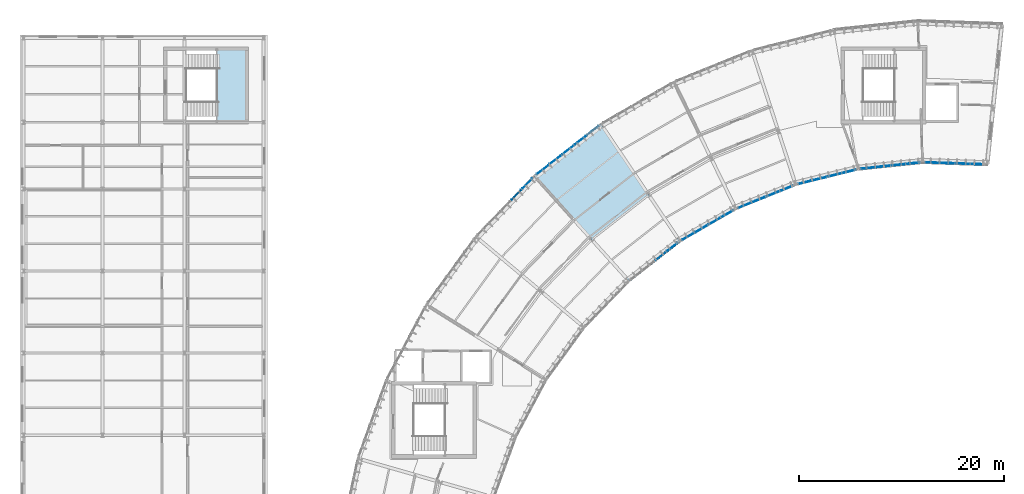
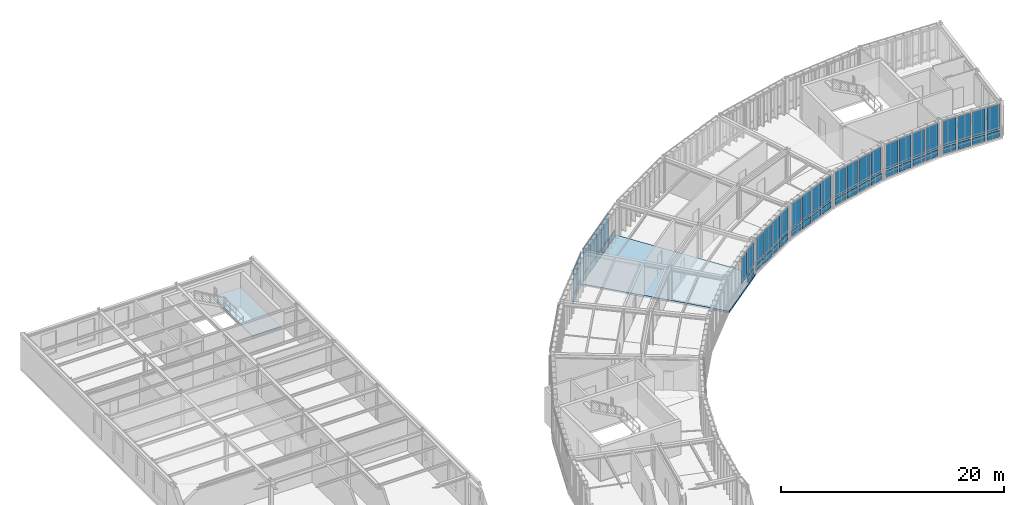
# One storey, part 21 of 41: 56 plates, 2 slabs, 9 elements without a shape of their own.
"""IFC4 building model written with IfcOpenShell, lengths in metres."""

from ifc_helpers import new_model, si_unit, direction, frame, origin, origin_2d, place, context, subcontext, project, spatial, polyline, rectangle, outline, extrude, material, layer, layer_set, type_object, element, aggregate, save


model = new_model("IFC4")

# Units and contexts
model_context = context("Model", 3, precision=1e-05, world=origin(), true_north=direction((0.0, 1.0)))
body_context = subcontext(model_context, "Body", "Model", "MODEL_VIEW")
ifc_project = project(units=[si_unit("LENGTHUNIT", "METRE"), si_unit("AREAUNIT", "SQUARE_METRE"), si_unit("VOLUMEUNIT", "CUBIC_METRE"), si_unit("PLANEANGLEUNIT", "RADIAN"), si_unit("MASSUNIT", "GRAM", prefix="KILO"), si_unit("THERMODYNAMICTEMPERATUREUNIT", "KELVIN"), si_unit("POWERUNIT", "WATT")], contexts=[model_context])

# Site, building, storey
site_placement = place(None, origin())
site = spatial("IfcSite", under=ifc_project, at=site_placement, CompositionType="ELEMENT")
building_placement = place(site_placement, origin())
building = spatial("IfcBuilding", under=site, at=building_placement, Name="Solvatero Civic Police Headquarters", CompositionType="ELEMENT")
storey_placement = place(building_placement, frame((0.0, 0.0, 17.699951171875)))
storey = spatial("IfcBuildingStorey", under=building, at=storey_placement, Name="L04", CompositionType="ELEMENT", Elevation=17.699951171875)

# Curtain wall, plates
ifc_material_1 = material(Name="Anodized Bronze Aluminium", Category="aluminium")
ifc_layer_1 = layer(ifc_material_1, 0.179931640625)
ifc_layer_set_1 = layer_set([ifc_layer_1], Name="Anodized Bronze Aluminium")
curtain_wall_type_1 = type_object("IfcCurtainWallType", Name="CW-ARC-IN", PredefinedType="USERDEFINED", material=ifc_layer_set_1)
curtain_wall_1_placement = place(storey_placement, origin())
curtain_wall_1 = element("IfcCurtainWall", 1, at=curtain_wall_1_placement, inside=storey, type_object=curtain_wall_type_1, Name="Curtain Wall CW-R2-L04-ARC-IN-B01", ObjectType="UNITISED", PredefinedType="USERDEFINED")
ifc_material_2 = material(Name="Triple Low-E Laminated Glass", Category="glass")
ifc_layer_2 = layer(ifc_material_2, 0.0380859375)
ifc_layer_set_2 = layer_set([ifc_layer_2], Name="Triple Low-E Laminated Glass")
plate_type_1 = type_object("IfcPlateType", Name="CWP-GLZ-38", PredefinedType="CURTAIN_PANEL", material=ifc_layer_set_2)
plate_1_placement = place(storey_placement, frame((96.302490234375, 70.95703125, 0.91015625), z_axis=(0.0, 0.0, 1.0), x_axis=(-0.999390827019, 0.034899496703, 0.0)))
plate_1 = element("IfcPlate", 2, at=plate_1_placement, type_object=plate_type_1, Name="CW-R2-L04-ARC-IN-B01 Vision Glazing 2", PredefinedType="CURTAIN_PANEL", context=body_context, shape_type="SweptSolid", body=[
    extrude(rectangle(XDim=1.294189453125, YDim=0.0380859375, at=origin_2d()), origin(), (0.0, 0.0, 1.0), 2.72998046875),
])
plate_2_placement = place(storey_placement, frame((93.35595703125, 71.06005859375, 0.91015625), z_axis=(0.0, 0.0, 1.0), x_axis=(-0.999390827019, 0.034899496703, 0.0)))
plate_2 = element("IfcPlate", 3, at=plate_2_placement, type_object=plate_type_1, Name="CW-R2-L04-ARC-IN-B01 Vision Glazing 4", PredefinedType="CURTAIN_PANEL", context=body_context, shape_type="SweptSolid", body=[
    extrude(rectangle(XDim=1.294189453125, YDim=0.0380859375, at=origin_2d()), origin(), (0.0, 0.0, 1.0), 2.72998046875),
])

curtain_wall_2_placement = place(storey_placement, origin())
curtain_wall_2 = element("IfcCurtainWall", 4, at=curtain_wall_2_placement, inside=storey, type_object=curtain_wall_type_1, Name="Curtain Wall CW-R2-L04-ARC-IN-B02", ObjectType="UNITISED", PredefinedType="USERDEFINED")
plate_3_placement = place(storey_placement, frame((90.029541015625, 70.8408203125, 0.91015625), z_axis=(0.0, 0.0, 1.0), x_axis=(-0.994521895368, -0.104528463268, 0.0)))
plate_3 = element("IfcPlate", 5, at=plate_3_placement, type_object=plate_type_1, Name="CW-R2-L04-ARC-IN-B02 Vision Glazing 2", PredefinedType="CURTAIN_PANEL", context=body_context, shape_type="SweptSolid", body=[
    extrude(rectangle(XDim=1.296630859375, YDim=0.0380859375, at=origin_2d()), origin(), (0.0, 0.0, 1.0), 2.72998046875),
])
plate_4_placement = place(storey_placement, frame((87.09228515625, 70.531982421875, 0.91015625), z_axis=(0.0, 0.0, 1.0), x_axis=(-0.994521895368, -0.104528463268, 0.0)))
plate_4 = element("IfcPlate", 6, at=plate_4_placement, type_object=plate_type_1, Name="CW-R2-L04-ARC-IN-B02 Vision Glazing 4", PredefinedType="CURTAIN_PANEL", context=body_context, shape_type="SweptSolid", body=[
    extrude(rectangle(XDim=1.296630859375, YDim=0.0380859375, at=origin_2d()), origin(), (0.0, 0.0, 1.0), 2.72998046875),
])

curtain_wall_3_placement = place(storey_placement, origin())
curtain_wall_3 = element("IfcCurtainWall", 7, at=curtain_wall_3_placement, inside=storey, type_object=curtain_wall_type_1, Name="Curtain Wall CW-R2-L04-ARC-IN-B03", ObjectType="UNITISED", PredefinedType="USERDEFINED")
plate_5_placement = place(storey_placement, frame((83.82763671875, 69.851806640625, 0.91015625), z_axis=(0.0, 0.0, 1.0), x_axis=(-0.970295726276, -0.2419218956, 0.0)))
plate_5 = element("IfcPlate", 8, at=plate_5_placement, type_object=plate_type_1, Name="CW-R2-L04-ARC-IN-B03 Vision Glazing 2", PredefinedType="CURTAIN_PANEL", context=body_context, shape_type="SweptSolid", body=[
    extrude(rectangle(XDim=1.296875, YDim=0.0380859375, at=origin_2d()), origin(), (0.0, 0.0, 1.0), 2.72998046875),
])
plate_6_placement = place(storey_placement, frame((80.9619140625, 69.13720703125, 0.91015625), z_axis=(0.0, 0.0, 1.0), x_axis=(-0.970295726276, -0.2419218956, 0.0)))
plate_6 = element("IfcPlate", 9, at=plate_6_placement, type_object=plate_type_1, Name="CW-R2-L04-ARC-IN-B03 Vision Glazing 4", PredefinedType="CURTAIN_PANEL", context=body_context, shape_type="SweptSolid", body=[
    extrude(rectangle(XDim=1.296875, YDim=0.0380859375, at=origin_2d()), origin(), (0.0, 0.0, 1.0), 2.72998046875),
])

curtain_wall_4_placement = place(storey_placement, origin())
curtain_wall_4 = element("IfcCurtainWall", 10, at=curtain_wall_4_placement, inside=storey, type_object=curtain_wall_type_1, Name="Curtain Wall CW-R2-L04-ARC-IN-B04", ObjectType="UNITISED", PredefinedType="USERDEFINED")
plate_7_placement = place(storey_placement, frame((77.826904296875, 68.010498046875, 0.91015625), z_axis=(0.0, 0.0, 1.0), x_axis=(-0.927183854567, -0.374606593416, 0.0)))
plate_7 = element("IfcPlate", 11, at=plate_7_placement, type_object=plate_type_1, Name="CW-R2-L04-ARC-IN-B04 Vision Glazing 2", PredefinedType="CURTAIN_PANEL", context=body_context, shape_type="SweptSolid", body=[
    extrude(rectangle(XDim=1.294189453125, YDim=0.0380859375, at=origin_2d()), origin(), (0.0, 0.0, 1.0), 2.72998046875),
])
plate_8_placement = place(storey_placement, frame((75.09326171875, 66.906005859375, 0.91015625), z_axis=(0.0, 0.0, 1.0), x_axis=(-0.927183854567, -0.374606593416, 0.0)))
plate_8 = element("IfcPlate", 12, at=plate_8_placement, type_object=plate_type_1, Name="CW-R2-L04-ARC-IN-B04 Vision Glazing 4", PredefinedType="CURTAIN_PANEL", context=body_context, shape_type="SweptSolid", body=[
    extrude(rectangle(XDim=1.294189453125, YDim=0.0380859375, at=origin_2d()), origin(), (0.0, 0.0, 1.0), 2.72998046875),
])

curtain_wall_5_placement = place(storey_placement, origin())
curtain_wall_5 = element("IfcCurtainWall", 13, at=curtain_wall_5_placement, inside=storey, type_object=curtain_wall_type_1, Name="Curtain Wall CW-R2-L04-ARC-IN-B05", ObjectType="UNITISED", PredefinedType="USERDEFINED")
plate_9_placement = place(storey_placement, frame((72.12890625, 65.345947265625, 0.91015625), z_axis=(0.0, 0.0, 1.0), x_axis=(-0.866025403784, -0.5, 0.0)))
plate_9 = element("IfcPlate", 14, at=plate_9_placement, type_object=plate_type_1, Name="CW-R2-L04-ARC-IN-B05 Vision Glazing 2", PredefinedType="CURTAIN_PANEL", context=body_context, shape_type="SweptSolid", body=[
    extrude(rectangle(XDim=1.294189453125, YDim=0.0380859375, at=origin_2d()), origin(), (0.0, 0.0, 1.0), 2.72998046875),
])
plate_10_placement = place(storey_placement, frame((69.575439453125, 63.871826171875, 0.91015625), z_axis=(0.0, 0.0, 1.0), x_axis=(-0.866025403784, -0.5, 0.0)))
plate_10 = element("IfcPlate", 15, at=plate_10_placement, type_object=plate_type_1, Name="CW-R2-L04-ARC-IN-B05 Vision Glazing 4", PredefinedType="CURTAIN_PANEL", context=body_context, shape_type="SweptSolid", body=[
    extrude(rectangle(XDim=1.294189453125, YDim=0.0380859375, at=origin_2d()), origin(), (0.0, 0.0, 1.0), 2.72998046875),
])

ifc_layer_3 = layer(ifc_material_1, 0.179931640625)
ifc_layer_set_3 = layer_set([ifc_layer_3], Name="Anodized Bronze Aluminium")
curtain_wall_type_2 = type_object("IfcCurtainWallType", Name="CW-ARC-OUT", PredefinedType="USERDEFINED", material=ifc_layer_set_3)
curtain_wall_6_placement = place(storey_placement, origin())
curtain_wall_6 = element("IfcCurtainWall", 16, at=curtain_wall_6_placement, inside=storey, type_object=curtain_wall_type_2, Name="Curtain Wall CW-R2-L04-ARC-OUT-B06", ObjectType="UNITISED", PredefinedType="USERDEFINED")
plate_11_placement = place(storey_placement, frame((57.842041015625, 72.2880859375, 0.91015625), z_axis=(0.0, 0.0, 1.0), x_axis=(-0.788010753607, -0.615661475326, 0.0)))
plate_11 = element("IfcPlate", 17, at=plate_11_placement, type_object=plate_type_1, Name="CW-R2-L04-ARC-OUT-B06 Vision Glazing 3", PredefinedType="CURTAIN_PANEL", context=body_context, shape_type="SweptSolid", body=[
    extrude(rectangle(XDim=1.37060546875, YDim=0.0380859375, at=origin_2d()), origin(), (0.0, 0.0, 1.0), 2.72998046875),
])
plate_12_placement = place(storey_placement, frame((55.3984375, 70.37890625, 0.91015625), z_axis=(0.0, 0.0, 1.0), x_axis=(-0.788010753607, -0.615661475326, 0.0)))
plate_12 = element("IfcPlate", 18, at=plate_12_placement, type_object=plate_type_1, Name="CW-R2-L04-ARC-OUT-B06 Vision Glazing 5", PredefinedType="CURTAIN_PANEL", context=body_context, shape_type="SweptSolid", body=[
    extrude(rectangle(XDim=1.37060546875, YDim=0.0380859375, at=origin_2d()), origin(), (0.0, 0.0, 1.0), 2.72998046875),
])

# Curtain wall, plate
curtain_wall_7_placement = place(storey_placement, origin())
curtain_wall_7 = element("IfcCurtainWall", 19, at=curtain_wall_7_placement, inside=storey, type_object=curtain_wall_type_1, Name="Curtain Wall CW-R2-L04-ARC-IN-B06", ObjectType="UNITISED", PredefinedType="USERDEFINED")
plate_13_placement = place(storey_placement, frame((66.873779296875, 61.92529296875, 0.91015625), z_axis=(0.0, 0.0, 1.0), x_axis=(-0.788010753607, -0.615661475326, 0.0)))
plate_13 = element("IfcPlate", 20, at=plate_13_placement, type_object=plate_type_1, Name="CW-R2-L04-ARC-IN-B06 Vision Glazing 2", PredefinedType="CURTAIN_PANEL", context=body_context, shape_type="SweptSolid", body=[
    extrude(rectangle(XDim=1.294189453125, YDim=0.0380859375, at=origin_2d()), origin(), (0.0, 0.0, 1.0), 2.72998046875),
])

curtain_wall_8_placement = place(storey_placement, origin())
curtain_wall_8 = element("IfcCurtainWall", 21, at=curtain_wall_8_placement, inside=storey, type_object=curtain_wall_type_2, Name="Curtain Wall CW-R2-L04-ARC-OUT-B07", ObjectType="UNITISED", PredefinedType="USERDEFINED")
plate_14_placement = place(storey_placement, frame((53.899169921875, 69.02880859375, 0.91015625), z_axis=(0.0, 0.0, 1.0), x_axis=(-0.694645815505, -0.719351924305, 0.0)))
plate_14 = element("IfcPlate", 22, at=plate_14_placement, type_object=plate_type_1, Name="CW-R2-L04-ARC-OUT-B07 Vision Glazing 1", PredefinedType="CURTAIN_PANEL", context=body_context, shape_type="SweptSolid", body=[
    extrude(rectangle(XDim=1.37060546875, YDim=0.0380859375, at=origin_2d()), origin(), (0.0, 0.0, 1.0), 2.72998046875),
])

# Plate
ifc_material_3 = material(Name="Acoustic Ballistic Laminated Glass", Category="glass")
ifc_layer_4 = layer(ifc_material_3, 0.0439453125)
ifc_layer_set_4 = layer_set([ifc_layer_4], Name="Acoustic Ballistic Laminated Glass")
plate_type_2 = type_object("IfcPlateType", Name="CWP-GLZ-44", PredefinedType="CURTAIN_PANEL", material=ifc_layer_set_4)
plate_15_placement = place(storey_placement, frame((97.77587890625, 70.905517578125, 0.91015625), z_axis=(0.0, 0.0, 1.0), x_axis=(-0.999390827019, 0.034899496703, 0.0)))
plate_15 = element("IfcPlate", 23, at=plate_15_placement, type_object=plate_type_2, Name="CW-R2-L04-ARC-IN-B01 Vision Glazing 1", PredefinedType="CURTAIN_PANEL", context=body_context, shape_type="SweptSolid", body=[
    extrude(rectangle(XDim=1.294189453125, YDim=0.0439453125, at=origin_2d()), origin(), (0.0, 0.0, 1.0), 2.72998046875),
])

plate_16_placement = place(storey_placement, frame((94.8291015625, 71.008544921875, 0.91015625), z_axis=(0.0, 0.0, 1.0), x_axis=(-0.999390827019, 0.034899496703, 0.0)))
plate_16 = element("IfcPlate", 24, at=plate_16_placement, type_object=plate_type_2, Name="CW-R2-L04-ARC-IN-B01 Vision Glazing 3", PredefinedType="CURTAIN_PANEL", context=body_context, shape_type="SweptSolid", body=[
    extrude(rectangle(XDim=1.294189453125, YDim=0.0439453125, at=origin_2d()), origin(), (0.0, 0.0, 1.0), 2.72998046875),
])

plate_17_placement = place(storey_placement, frame((91.498291015625, 70.9951171875, 0.91015625), z_axis=(0.0, 0.0, 1.0), x_axis=(-0.994521895368, -0.104528463268, 0.0)))
plate_17 = element("IfcPlate", 25, at=plate_17_placement, type_object=plate_type_2, Name="CW-R2-L04-ARC-IN-B02 Vision Glazing 1", PredefinedType="CURTAIN_PANEL", context=body_context, shape_type="SweptSolid", body=[
    extrude(rectangle(XDim=1.296630859375, YDim=0.0439453125, at=origin_2d()), origin(), (0.0, 0.0, 1.0), 2.72998046875),
])

plate_18_placement = place(storey_placement, frame((88.560791015625, 70.686279296875, 0.91015625), z_axis=(0.0, 0.0, 1.0), x_axis=(-0.994521895368, -0.104528463268, 0.0)))
plate_18 = element("IfcPlate", 26, at=plate_18_placement, type_object=plate_type_2, Name="CW-R2-L04-ARC-IN-B02 Vision Glazing 3", PredefinedType="CURTAIN_PANEL", context=body_context, shape_type="SweptSolid", body=[
    extrude(rectangle(XDim=1.296630859375, YDim=0.0439453125, at=origin_2d()), origin(), (0.0, 0.0, 1.0), 2.72998046875),
])

plate_19_placement = place(storey_placement, frame((85.260498046875, 70.208984375, 0.91015625), z_axis=(0.0, 0.0, 1.0), x_axis=(-0.970295726276, -0.2419218956, 0.0)))
plate_19 = element("IfcPlate", 27, at=plate_19_placement, type_object=plate_type_2, Name="CW-R2-L04-ARC-IN-B03 Vision Glazing 1", PredefinedType="CURTAIN_PANEL", context=body_context, shape_type="SweptSolid", body=[
    extrude(rectangle(XDim=1.296875, YDim=0.0439453125, at=origin_2d()), origin(), (0.0, 0.0, 1.0), 2.72998046875),
])

plate_20_placement = place(storey_placement, frame((82.394775390625, 69.494384765625, 0.91015625), z_axis=(0.0, 0.0, 1.0), x_axis=(-0.970295726276, -0.2419218956, 0.0)))
plate_20 = element("IfcPlate", 28, at=plate_20_placement, type_object=plate_type_2, Name="CW-R2-L04-ARC-IN-B03 Vision Glazing 3", PredefinedType="CURTAIN_PANEL", context=body_context, shape_type="SweptSolid", body=[
    extrude(rectangle(XDim=1.296875, YDim=0.0439453125, at=origin_2d()), origin(), (0.0, 0.0, 1.0), 2.72998046875),
])

plate_21_placement = place(storey_placement, frame((79.19384765625, 68.56298828125, 0.91015625), z_axis=(0.0, 0.0, 1.0), x_axis=(-0.927183854567, -0.374606593416, 0.0)))
plate_21 = element("IfcPlate", 29, at=plate_21_placement, type_object=plate_type_2, Name="CW-R2-L04-ARC-IN-B04 Vision Glazing 1", PredefinedType="CURTAIN_PANEL", context=body_context, shape_type="SweptSolid", body=[
    extrude(rectangle(XDim=1.294189453125, YDim=0.0439453125, at=origin_2d()), origin(), (0.0, 0.0, 1.0), 2.72998046875),
])

plate_22_placement = place(storey_placement, frame((76.460205078125, 67.45849609375, 0.91015625), z_axis=(0.0, 0.0, 1.0), x_axis=(-0.927183854567, -0.374606593416, 0.0)))
plate_22 = element("IfcPlate", 30, at=plate_22_placement, type_object=plate_type_2, Name="CW-R2-L04-ARC-IN-B04 Vision Glazing 3", PredefinedType="CURTAIN_PANEL", context=body_context, shape_type="SweptSolid", body=[
    extrude(rectangle(XDim=1.294189453125, YDim=0.0439453125, at=origin_2d()), origin(), (0.0, 0.0, 1.0), 2.72998046875),
])

plate_23_placement = place(storey_placement, frame((73.40576171875, 66.0830078125, 0.91015625), z_axis=(0.0, 0.0, 1.0), x_axis=(-0.866025403784, -0.5, 0.0)))
plate_23 = element("IfcPlate", 31, at=plate_23_placement, type_object=plate_type_2, Name="CW-R2-L04-ARC-IN-B05 Vision Glazing 1", PredefinedType="CURTAIN_PANEL", context=body_context, shape_type="SweptSolid", body=[
    extrude(rectangle(XDim=1.294189453125, YDim=0.0439453125, at=origin_2d()), origin(), (0.0, 0.0, 1.0), 2.72998046875),
])

plate_24_placement = place(storey_placement, frame((70.852294921875, 64.60888671875, 0.91015625), z_axis=(0.0, 0.0, 1.0), x_axis=(-0.866025403784, -0.5, 0.0)))
plate_24 = element("IfcPlate", 32, at=plate_24_placement, type_object=plate_type_2, Name="CW-R2-L04-ARC-IN-B05 Vision Glazing 3", PredefinedType="CURTAIN_PANEL", context=body_context, shape_type="SweptSolid", body=[
    extrude(rectangle(XDim=1.294189453125, YDim=0.0439453125, at=origin_2d()), origin(), (0.0, 0.0, 1.0), 2.72998046875),
])

plate_25_placement = place(storey_placement, frame((59.06396484375, 73.24267578125, 0.91015625), z_axis=(0.0, 0.0, 1.0), x_axis=(-0.788010753607, -0.615661475326, 0.0)))
plate_25 = element("IfcPlate", 33, at=plate_25_placement, type_object=plate_type_2, Name="CW-R2-L04-ARC-OUT-B06 Vision Glazing 2", PredefinedType="CURTAIN_PANEL", context=body_context, shape_type="SweptSolid", body=[
    extrude(rectangle(XDim=1.37060546875, YDim=0.0439453125, at=origin_2d()), origin(), (0.0, 0.0, 1.0), 2.72998046875),
])

plate_26_placement = place(storey_placement, frame((56.620361328125, 71.33349609375, 0.91015625), z_axis=(0.0, 0.0, 1.0), x_axis=(-0.788010753607, -0.615661475326, 0.0)))
plate_26 = element("IfcPlate", 34, at=plate_26_placement, type_object=plate_type_2, Name="CW-R2-L04-ARC-OUT-B06 Vision Glazing 4", PredefinedType="CURTAIN_PANEL", context=body_context, shape_type="SweptSolid", body=[
    extrude(rectangle(XDim=1.37060546875, YDim=0.0439453125, at=origin_2d()), origin(), (0.0, 0.0, 1.0), 2.72998046875),
])

plate_27_placement = place(storey_placement, frame((68.035400390625, 62.8330078125, 0.91015625), z_axis=(0.0, 0.0, 1.0), x_axis=(-0.788010753607, -0.615661475326, 0.0)))
plate_27 = element("IfcPlate", 35, at=plate_27_placement, type_object=plate_type_2, Name="CW-R2-L04-ARC-IN-B06 Vision Glazing 1", PredefinedType="CURTAIN_PANEL", context=body_context, shape_type="SweptSolid", body=[
    extrude(rectangle(XDim=1.294189453125, YDim=0.0439453125, at=origin_2d()), origin(), (0.0, 0.0, 1.0), 2.72998046875),
])

plate_28_placement = place(storey_placement, frame((52.822021484375, 67.91357421875, 0.91015625), z_axis=(0.0, 0.0, 1.0), x_axis=(-0.694645815505, -0.719351924305, 0.0)))
plate_28 = element("IfcPlate", 36, at=plate_28_placement, type_object=plate_type_2, Name="CW-R2-L04-ARC-OUT-B07 Vision Glazing 2", PredefinedType="CURTAIN_PANEL", context=body_context, shape_type="SweptSolid", body=[
    extrude(rectangle(XDim=1.37060546875, YDim=0.0439453125, at=origin_2d()), origin(), (0.0, 0.0, 1.0), 2.72998046875),
])

ifc_material_4 = material(Name="Insulated Bronze Aluminium Spandrel", Category="aluminium")
ifc_layer_5 = layer(ifc_material_4, 0.06005859375)
ifc_layer_set_5 = layer_set([ifc_layer_5], Name="Insulated Bronze Aluminium Spandrel")
plate_type_3 = type_object("IfcPlateType", Name="CWP-SPN-60", PredefinedType="CURTAIN_PANEL", material=ifc_layer_set_5)
plate_29_placement = place(storey_placement, frame((96.302490234375, 70.95703125, 0.06005859375), z_axis=(0.0, 0.0, 1.0), x_axis=(-0.999390827019, 0.034899496703, 0.0)))
plate_29 = element("IfcPlate", 37, at=plate_29_placement, type_object=plate_type_3, Name="CW-R2-L04-ARC-IN-B01 Spandrel Panel 2", PredefinedType="CURTAIN_PANEL", context=body_context, shape_type="SweptSolid", body=[
    extrude(rectangle(XDim=1.294189453125, YDim=0.06005859375, at=origin_2d()), origin(), (0.0, 0.0, 1.0), 0.72998046875),
])

plate_30_placement = place(storey_placement, frame((93.35595703125, 71.06005859375, 0.06005859375), z_axis=(0.0, 0.0, 1.0), x_axis=(-0.999390827019, 0.034899496703, 0.0)))
plate_30 = element("IfcPlate", 38, at=plate_30_placement, type_object=plate_type_3, Name="CW-R2-L04-ARC-IN-B01 Spandrel Panel 4", PredefinedType="CURTAIN_PANEL", context=body_context, shape_type="SweptSolid", body=[
    extrude(rectangle(XDim=1.294189453125, YDim=0.06005859375, at=origin_2d()), origin(), (0.0, 0.0, 1.0), 0.72998046875),
])

plate_31_placement = place(storey_placement, frame((90.029541015625, 70.8408203125, 0.06005859375), z_axis=(0.0, 0.0, 1.0), x_axis=(-0.994521895368, -0.104528463268, 0.0)))
plate_31 = element("IfcPlate", 39, at=plate_31_placement, type_object=plate_type_3, Name="CW-R2-L04-ARC-IN-B02 Spandrel Panel 2", PredefinedType="CURTAIN_PANEL", context=body_context, shape_type="SweptSolid", body=[
    extrude(rectangle(XDim=1.296630859375, YDim=0.06005859375, at=origin_2d()), origin(), (0.0, 0.0, 1.0), 0.72998046875),
])

plate_32_placement = place(storey_placement, frame((87.09228515625, 70.531982421875, 0.06005859375), z_axis=(0.0, 0.0, 1.0), x_axis=(-0.994521895368, -0.104528463268, 0.0)))
plate_32 = element("IfcPlate", 40, at=plate_32_placement, type_object=plate_type_3, Name="CW-R2-L04-ARC-IN-B02 Spandrel Panel 4", PredefinedType="CURTAIN_PANEL", context=body_context, shape_type="SweptSolid", body=[
    extrude(rectangle(XDim=1.296630859375, YDim=0.06005859375, at=origin_2d()), origin(), (0.0, 0.0, 1.0), 0.72998046875),
])

plate_33_placement = place(storey_placement, frame((83.82763671875, 69.851806640625, 0.06005859375), z_axis=(0.0, 0.0, 1.0), x_axis=(-0.970295726276, -0.2419218956, 0.0)))
plate_33 = element("IfcPlate", 41, at=plate_33_placement, type_object=plate_type_3, Name="CW-R2-L04-ARC-IN-B03 Spandrel Panel 2", PredefinedType="CURTAIN_PANEL", context=body_context, shape_type="SweptSolid", body=[
    extrude(rectangle(XDim=1.296875, YDim=0.06005859375, at=origin_2d()), origin(), (0.0, 0.0, 1.0), 0.72998046875),
])

plate_34_placement = place(storey_placement, frame((80.9619140625, 69.13720703125, 0.06005859375), z_axis=(0.0, 0.0, 1.0), x_axis=(-0.970295726276, -0.2419218956, 0.0)))
plate_34 = element("IfcPlate", 42, at=plate_34_placement, type_object=plate_type_3, Name="CW-R2-L04-ARC-IN-B03 Spandrel Panel 4", PredefinedType="CURTAIN_PANEL", context=body_context, shape_type="SweptSolid", body=[
    extrude(rectangle(XDim=1.296875, YDim=0.06005859375, at=origin_2d()), origin(), (0.0, 0.0, 1.0), 0.72998046875),
])

plate_35_placement = place(storey_placement, frame((77.826904296875, 68.010498046875, 0.06005859375), z_axis=(0.0, 0.0, 1.0), x_axis=(-0.927183854567, -0.374606593416, 0.0)))
plate_35 = element("IfcPlate", 43, at=plate_35_placement, type_object=plate_type_3, Name="CW-R2-L04-ARC-IN-B04 Spandrel Panel 2", PredefinedType="CURTAIN_PANEL", context=body_context, shape_type="SweptSolid", body=[
    extrude(rectangle(XDim=1.294189453125, YDim=0.06005859375, at=origin_2d()), origin(), (0.0, 0.0, 1.0), 0.72998046875),
])

plate_36_placement = place(storey_placement, frame((75.09326171875, 66.906005859375, 0.06005859375), z_axis=(0.0, 0.0, 1.0), x_axis=(-0.927183854567, -0.374606593416, 0.0)))
plate_36 = element("IfcPlate", 44, at=plate_36_placement, type_object=plate_type_3, Name="CW-R2-L04-ARC-IN-B04 Spandrel Panel 4", PredefinedType="CURTAIN_PANEL", context=body_context, shape_type="SweptSolid", body=[
    extrude(rectangle(XDim=1.294189453125, YDim=0.06005859375, at=origin_2d()), origin(), (0.0, 0.0, 1.0), 0.72998046875),
])

plate_37_placement = place(storey_placement, frame((72.12890625, 65.345947265625, 0.06005859375), z_axis=(0.0, 0.0, 1.0), x_axis=(-0.866025403784, -0.5, 0.0)))
plate_37 = element("IfcPlate", 45, at=plate_37_placement, type_object=plate_type_3, Name="CW-R2-L04-ARC-IN-B05 Spandrel Panel 2", PredefinedType="CURTAIN_PANEL", context=body_context, shape_type="SweptSolid", body=[
    extrude(rectangle(XDim=1.294189453125, YDim=0.06005859375, at=origin_2d()), origin(), (0.0, 0.0, 1.0), 0.72998046875),
])

plate_38_placement = place(storey_placement, frame((69.575439453125, 63.871826171875, 0.06005859375), z_axis=(0.0, 0.0, 1.0), x_axis=(-0.866025403784, -0.5, 0.0)))
plate_38 = element("IfcPlate", 46, at=plate_38_placement, type_object=plate_type_3, Name="CW-R2-L04-ARC-IN-B05 Spandrel Panel 4", PredefinedType="CURTAIN_PANEL", context=body_context, shape_type="SweptSolid", body=[
    extrude(rectangle(XDim=1.294189453125, YDim=0.06005859375, at=origin_2d()), origin(), (0.0, 0.0, 1.0), 0.72998046875),
])

plate_39_placement = place(storey_placement, frame((60.28564453125, 74.197265625, 0.06005859375), z_axis=(0.0, 0.0, 1.0), x_axis=(-0.788010753607, -0.615661475326, 0.0)))
plate_39 = element("IfcPlate", 47, at=plate_39_placement, type_object=plate_type_3, Name="CW-R2-L04-ARC-OUT-B06 Spandrel Panel 1", PredefinedType="CURTAIN_PANEL", context=body_context, shape_type="SweptSolid", body=[
    extrude(rectangle(XDim=1.37060546875, YDim=0.06005859375, at=origin_2d()), origin(), (0.0, 0.0, 1.0), 0.72998046875),
])

plate_40_placement = place(storey_placement, frame((57.842041015625, 72.2880859375, 0.06005859375), z_axis=(0.0, 0.0, 1.0), x_axis=(-0.788010753607, -0.615661475326, 0.0)))
plate_40 = element("IfcPlate", 48, at=plate_40_placement, type_object=plate_type_3, Name="CW-R2-L04-ARC-OUT-B06 Spandrel Panel 3", PredefinedType="CURTAIN_PANEL", context=body_context, shape_type="SweptSolid", body=[
    extrude(rectangle(XDim=1.37060546875, YDim=0.06005859375, at=origin_2d()), origin(), (0.0, 0.0, 1.0), 0.72998046875),
])

plate_41_placement = place(storey_placement, frame((55.3984375, 70.37890625, 0.06005859375), z_axis=(0.0, 0.0, 1.0), x_axis=(-0.788010753607, -0.615661475326, 0.0)))
plate_41 = element("IfcPlate", 49, at=plate_41_placement, type_object=plate_type_3, Name="CW-R2-L04-ARC-OUT-B06 Spandrel Panel 5", PredefinedType="CURTAIN_PANEL", context=body_context, shape_type="SweptSolid", body=[
    extrude(rectangle(XDim=1.37060546875, YDim=0.06005859375, at=origin_2d()), origin(), (0.0, 0.0, 1.0), 0.72998046875),
])

plate_42_placement = place(storey_placement, frame((53.899169921875, 69.02880859375, 0.06005859375), z_axis=(0.0, 0.0, 1.0), x_axis=(-0.694645815505, -0.719351924305, 0.0)))
plate_42 = element("IfcPlate", 50, at=plate_42_placement, type_object=plate_type_3, Name="CW-R2-L04-ARC-OUT-B07 Spandrel Panel 1", PredefinedType="CURTAIN_PANEL", context=body_context, shape_type="SweptSolid", body=[
    extrude(rectangle(XDim=1.37060546875, YDim=0.06005859375, at=origin_2d()), origin(), (0.0, 0.0, 1.0), 0.72998046875),
])

ifc_material_5 = material(Name="Limestone Veneer Spandrel Panel", Category="masonry")
ifc_layer_6 = layer(ifc_material_5, 0.074951171875)
ifc_layer_set_6 = layer_set([ifc_layer_6], Name="Limestone Veneer Spandrel Panel")
plate_type_4 = type_object("IfcPlateType", Name="CWP-SPN-75", PredefinedType="CURTAIN_PANEL", material=ifc_layer_set_6)
plate_43_placement = place(storey_placement, frame((97.77587890625, 70.905517578125, 0.06005859375), z_axis=(0.0, 0.0, 1.0), x_axis=(-0.999390827019, 0.034899496703, 0.0)))
plate_43 = element("IfcPlate", 51, at=plate_43_placement, type_object=plate_type_4, Name="CW-R2-L04-ARC-IN-B01 Spandrel Panel 1", PredefinedType="CURTAIN_PANEL", context=body_context, shape_type="SweptSolid", body=[
    extrude(rectangle(XDim=1.294189453125, YDim=0.074951171875, at=origin_2d()), origin(), (0.0, 0.0, 1.0), 0.72998046875),
])

plate_44_placement = place(storey_placement, frame((94.8291015625, 71.008544921875, 0.06005859375), z_axis=(0.0, 0.0, 1.0), x_axis=(-0.999390827019, 0.034899496703, 0.0)))
plate_44 = element("IfcPlate", 52, at=plate_44_placement, type_object=plate_type_4, Name="CW-R2-L04-ARC-IN-B01 Spandrel Panel 3", PredefinedType="CURTAIN_PANEL", context=body_context, shape_type="SweptSolid", body=[
    extrude(rectangle(XDim=1.294189453125, YDim=0.074951171875, at=origin_2d()), origin(), (0.0, 0.0, 1.0), 0.72998046875),
])

aggregate(curtain_wall_1, [plate_43, plate_15, plate_29, plate_1, plate_44, plate_16, plate_30, plate_2])

plate_45_placement = place(storey_placement, frame((91.498291015625, 70.9951171875, 0.06005859375), z_axis=(0.0, 0.0, 1.0), x_axis=(-0.994521895368, -0.104528463268, 0.0)))
plate_45 = element("IfcPlate", 53, at=plate_45_placement, type_object=plate_type_4, Name="CW-R2-L04-ARC-IN-B02 Spandrel Panel 1", PredefinedType="CURTAIN_PANEL", context=body_context, shape_type="SweptSolid", body=[
    extrude(rectangle(XDim=1.296630859375, YDim=0.074951171875, at=origin_2d()), origin(), (0.0, 0.0, 1.0), 0.72998046875),
])

plate_46_placement = place(storey_placement, frame((88.560791015625, 70.686279296875, 0.06005859375), z_axis=(0.0, 0.0, 1.0), x_axis=(-0.994521895368, -0.104528463268, 0.0)))
plate_46 = element("IfcPlate", 54, at=plate_46_placement, type_object=plate_type_4, Name="CW-R2-L04-ARC-IN-B02 Spandrel Panel 3", PredefinedType="CURTAIN_PANEL", context=body_context, shape_type="SweptSolid", body=[
    extrude(rectangle(XDim=1.296630859375, YDim=0.074951171875, at=origin_2d()), origin(), (0.0, 0.0, 1.0), 0.72998046875),
])

aggregate(curtain_wall_2, [plate_45, plate_17, plate_31, plate_3, plate_46, plate_18, plate_32, plate_4])

plate_47_placement = place(storey_placement, frame((85.260498046875, 70.208984375, 0.06005859375), z_axis=(0.0, 0.0, 1.0), x_axis=(-0.970295726276, -0.2419218956, 0.0)))
plate_47 = element("IfcPlate", 55, at=plate_47_placement, type_object=plate_type_4, Name="CW-R2-L04-ARC-IN-B03 Spandrel Panel 1", PredefinedType="CURTAIN_PANEL", context=body_context, shape_type="SweptSolid", body=[
    extrude(rectangle(XDim=1.296875, YDim=0.074951171875, at=origin_2d()), origin(), (0.0, 0.0, 1.0), 0.72998046875),
])

plate_48_placement = place(storey_placement, frame((82.394775390625, 69.494384765625, 0.06005859375), z_axis=(0.0, 0.0, 1.0), x_axis=(-0.970295726276, -0.2419218956, 0.0)))
plate_48 = element("IfcPlate", 56, at=plate_48_placement, type_object=plate_type_4, Name="CW-R2-L04-ARC-IN-B03 Spandrel Panel 3", PredefinedType="CURTAIN_PANEL", context=body_context, shape_type="SweptSolid", body=[
    extrude(rectangle(XDim=1.296875, YDim=0.074951171875, at=origin_2d()), origin(), (0.0, 0.0, 1.0), 0.72998046875),
])

aggregate(curtain_wall_3, [plate_47, plate_19, plate_33, plate_5, plate_48, plate_20, plate_34, plate_6])

plate_49_placement = place(storey_placement, frame((79.19384765625, 68.56298828125, 0.06005859375), z_axis=(0.0, 0.0, 1.0), x_axis=(-0.927183854567, -0.374606593416, 0.0)))
plate_49 = element("IfcPlate", 57, at=plate_49_placement, type_object=plate_type_4, Name="CW-R2-L04-ARC-IN-B04 Spandrel Panel 1", PredefinedType="CURTAIN_PANEL", context=body_context, shape_type="SweptSolid", body=[
    extrude(rectangle(XDim=1.294189453125, YDim=0.074951171875, at=origin_2d()), origin(), (0.0, 0.0, 1.0), 0.72998046875),
])

plate_50_placement = place(storey_placement, frame((76.460205078125, 67.45849609375, 0.06005859375), z_axis=(0.0, 0.0, 1.0), x_axis=(-0.927183854567, -0.374606593416, 0.0)))
plate_50 = element("IfcPlate", 58, at=plate_50_placement, type_object=plate_type_4, Name="CW-R2-L04-ARC-IN-B04 Spandrel Panel 3", PredefinedType="CURTAIN_PANEL", context=body_context, shape_type="SweptSolid", body=[
    extrude(rectangle(XDim=1.294189453125, YDim=0.074951171875, at=origin_2d()), origin(), (0.0, 0.0, 1.0), 0.72998046875),
])

aggregate(curtain_wall_4, [plate_49, plate_21, plate_35, plate_7, plate_50, plate_22, plate_36, plate_8])

plate_51_placement = place(storey_placement, frame((73.40576171875, 66.0830078125, 0.06005859375), z_axis=(0.0, 0.0, 1.0), x_axis=(-0.866025403784, -0.5, 0.0)))
plate_51 = element("IfcPlate", 59, at=plate_51_placement, type_object=plate_type_4, Name="CW-R2-L04-ARC-IN-B05 Spandrel Panel 1", PredefinedType="CURTAIN_PANEL", context=body_context, shape_type="SweptSolid", body=[
    extrude(rectangle(XDim=1.294189453125, YDim=0.074951171875, at=origin_2d()), origin(), (0.0, 0.0, 1.0), 0.72998046875),
])

plate_52_placement = place(storey_placement, frame((70.852294921875, 64.60888671875, 0.06005859375), z_axis=(0.0, 0.0, 1.0), x_axis=(-0.866025403784, -0.5, 0.0)))
plate_52 = element("IfcPlate", 60, at=plate_52_placement, type_object=plate_type_4, Name="CW-R2-L04-ARC-IN-B05 Spandrel Panel 3", PredefinedType="CURTAIN_PANEL", context=body_context, shape_type="SweptSolid", body=[
    extrude(rectangle(XDim=1.294189453125, YDim=0.074951171875, at=origin_2d()), origin(), (0.0, 0.0, 1.0), 0.72998046875),
])

aggregate(curtain_wall_5, [plate_51, plate_23, plate_37, plate_9, plate_52, plate_24, plate_38, plate_10])

plate_53_placement = place(storey_placement, frame((59.06396484375, 73.24267578125, 0.06005859375), z_axis=(0.0, 0.0, 1.0), x_axis=(-0.788010753607, -0.615661475326, 0.0)))
plate_53 = element("IfcPlate", 61, at=plate_53_placement, type_object=plate_type_4, Name="CW-R2-L04-ARC-OUT-B06 Spandrel Panel 2", PredefinedType="CURTAIN_PANEL", context=body_context, shape_type="SweptSolid", body=[
    extrude(rectangle(XDim=1.37060546875, YDim=0.074951171875, at=origin_2d()), origin(), (0.0, 0.0, 1.0), 0.72998046875),
])

plate_54_placement = place(storey_placement, frame((56.620361328125, 71.33349609375, 0.06005859375), z_axis=(0.0, 0.0, 1.0), x_axis=(-0.788010753607, -0.615661475326, 0.0)))
plate_54 = element("IfcPlate", 62, at=plate_54_placement, type_object=plate_type_4, Name="CW-R2-L04-ARC-OUT-B06 Spandrel Panel 4", PredefinedType="CURTAIN_PANEL", context=body_context, shape_type="SweptSolid", body=[
    extrude(rectangle(XDim=1.37060546875, YDim=0.074951171875, at=origin_2d()), origin(), (0.0, 0.0, 1.0), 0.72998046875),
])

aggregate(curtain_wall_6, [plate_39, plate_53, plate_25, plate_40, plate_11, plate_54, plate_26, plate_41, plate_12])

plate_55_placement = place(storey_placement, frame((68.035400390625, 62.8330078125, 0.06005859375), z_axis=(0.0, 0.0, 1.0), x_axis=(-0.788010753607, -0.615661475326, 0.0)))
plate_55 = element("IfcPlate", 63, at=plate_55_placement, type_object=plate_type_4, Name="CW-R2-L04-ARC-IN-B06 Spandrel Panel 1", PredefinedType="CURTAIN_PANEL", context=body_context, shape_type="SweptSolid", body=[
    extrude(rectangle(XDim=1.294189453125, YDim=0.074951171875, at=origin_2d()), origin(), (0.0, 0.0, 1.0), 0.72998046875),
])

aggregate(curtain_wall_7, [plate_55, plate_27, plate_13])

plate_56_placement = place(storey_placement, frame((52.822021484375, 67.91357421875, 0.06005859375), z_axis=(0.0, 0.0, 1.0), x_axis=(-0.694645815505, -0.719351924305, 0.0)))
plate_56 = element("IfcPlate", 64, at=plate_56_placement, type_object=plate_type_4, Name="CW-R2-L04-ARC-OUT-B07 Spandrel Panel 2", PredefinedType="CURTAIN_PANEL", context=body_context, shape_type="SweptSolid", body=[
    extrude(rectangle(XDim=1.37060546875, YDim=0.074951171875, at=origin_2d()), origin(), (0.0, 0.0, 1.0), 0.72998046875),
])

aggregate(curtain_wall_8, [plate_42, plate_14, plate_56, plate_28])

# Slab
ifc_material_6 = material(Name="Concrete C35/45", Category="concrete")
ifc_layer_7 = layer(ifc_material_6, 0.199951171875)
ifc_layer_set_7 = layer_set([ifc_layer_7], Name="Concrete C35/45")
slab_type_1 = type_object("IfcSlabType", Name="SLB-COMP-200", PredefinedType="FLOOR", material=ifc_layer_set_7)
slab_1_placement = place(storey_placement, frame((0.0, 0.0, -0.199951171875)))
element("IfcSlab", 65, at=slab_1_placement, inside=storey, type_object=slab_type_1, Name="L04 Operations Arc Floor Slab Bay 6", PredefinedType="FLOOR", context=body_context, shape_type="SweptSolid", body=[
    extrude(outline(polyline([(61.006103515625, 74.912109375), (68.834716796875, 63.305419921875), (63.88916015625, 59.44140625), (54.521240234375, 69.845458984375), (61.006103515625, 74.912109375)])), origin(), (0.0, 0.0, 1.0), 0.199951171875),
])

# Stair, slab
ifc_material_7 = material(Name="Precast concrete C40/50", Category="concrete")
stair_type = type_object("IfcStairType", Name="STR-C145-390", PredefinedType="HALF_TURN_STAIR", material=ifc_material_7)
stair_placement = place(storey_placement, origin())
stair = element("IfcStair", 66, at=stair_placement, inside=storey, type_object=stair_type, Name="Protected Exit Stair ST-C4 (L04 to L05)", PredefinedType="HALF_TURN_STAIR")
ifc_layer_8 = layer(ifc_material_7, 0.199951171875)
ifc_layer_set_8 = layer_set([ifc_layer_8], Name="Precast concrete C40/50")
slab_type_2 = type_object("IfcSlabType", Name="SLB-LND-200", PredefinedType="LANDING", material=ifc_layer_set_8)
slab_2_placement = place(storey_placement, frame((0.0, 0.0, 1.75)))
slab_2 = element("IfcSlab", 67, at=slab_2_placement, type_object=slab_type_2, Name="ST-C4 L04 Half-Landing", PredefinedType="LANDING", context=body_context, shape_type="SweptSolid", body=[
    extrude(outline(polyline([(23.639892578125, 75.050048828125), (26.550048828125, 75.050048828125), (26.550048828125, 82.14990234375), (23.639892578125, 82.14990234375), (23.639892578125, 75.050048828125)])), origin(), (0.0, 0.0, 1.0), 0.199951171875),
])
aggregate(stair, [slab_2])

save(model, "model.ifc")
